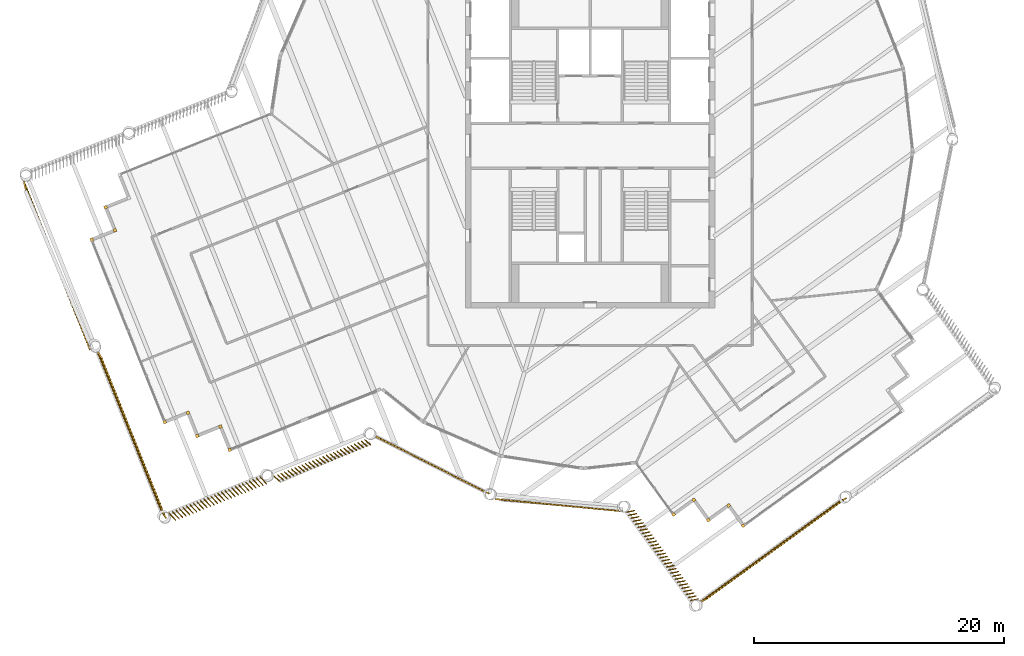
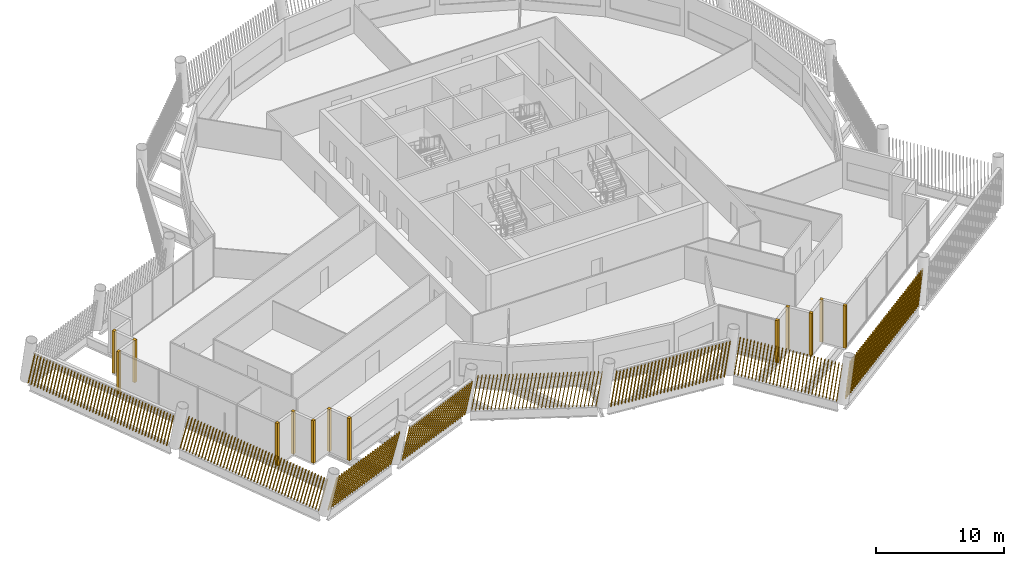
# One storey, part 23 of 27: 21 shading devices.
"""IFC4 building model written with IfcOpenShell, lengths in metres."""

from ifc_helpers import new_model, si_unit, direction, frame, frame_2d, origin, origin_2d, place, context, subcontext, project, spatial, rectangle, composite_profile, extrude, material, type_object, element, save


model = new_model("IFC4")

# Units and contexts
model_context = context("Model", 3, precision=1e-05, world=origin(), true_north=direction((0.0, 1.0)))
body_context = subcontext(model_context, "Body", "Model", "MODEL_VIEW")
ifc_project = project(units=[si_unit("LENGTHUNIT", "METRE"), si_unit("AREAUNIT", "SQUARE_METRE"), si_unit("VOLUMEUNIT", "CUBIC_METRE"), si_unit("PLANEANGLEUNIT", "RADIAN"), si_unit("MASSUNIT", "GRAM", prefix="KILO")], contexts=[model_context])

# Site, building, storey
site_placement = place(None, origin())
site = spatial("IfcSite", under=ifc_project, at=site_placement, CompositionType="ELEMENT")
building_placement = place(site_placement, origin())
building = spatial("IfcBuilding", under=site, at=building_placement, Name="Tarsis Ring Headquarters", CompositionType="ELEMENT")
storey_placement = place(building_placement, frame((0.0, 0.0, 373.39990234375)))
storey = spatial("IfcBuildingStorey", under=building, at=storey_placement, Name="L88", CompositionType="ELEMENT", Elevation=373.39990234375)

# Shading devices
ifc_material = material(Name="Terracotta baguette", Category="masonry")
shading_device_type_1 = type_object("IfcShadingDeviceType", Name="Terracotta baguette screen", PredefinedType="USERDEFINED", material=ifc_material)
shading_device_1_placement = place(storey_placement, frame((-7.622802734375, -28.32177734375, 0.0), z_axis=(0.0, 0.0, 1.0), x_axis=(0.995427857589, -0.095415365397, 0.0)))
element("IfcShadingDevice", 1, at=shading_device_1_placement, inside=storey, type_object=shading_device_type_1, Name="Baguette screen L88-00", ObjectType="Terracotta baguette screen", PredefinedType="USERDEFINED", context=body_context, shape_type="SweptSolid", body=[
    extrude(composite_profile([rectangle(XDim=0.06005859375, YDim=0.1201171875, at=frame_2d((0.030029296875, 0.0))), rectangle(XDim=0.06005859375, YDim=0.1201171875, at=frame_2d((0.33349609375, 0.0))), rectangle(XDim=0.06005859375, YDim=0.1201171875, at=frame_2d((0.636962890625, 0.0))), rectangle(XDim=0.06005859375, YDim=0.1201171875, at=frame_2d((0.9404296875, 0.0))), rectangle(XDim=0.06005859375, YDim=0.1201171875, at=frame_2d((1.243896484375, 0.0))), rectangle(XDim=0.06005859375, YDim=0.1201171875, at=frame_2d((1.54736328125, 0.0))), rectangle(XDim=0.06005859375, YDim=0.1201171875, at=frame_2d((1.85107421875, 0.0))), rectangle(XDim=0.06005859375, YDim=0.1201171875, at=frame_2d((2.154541015625, 0.0))), rectangle(XDim=0.06005859375, YDim=0.1201171875, at=frame_2d((2.4580078125, 0.0))), rectangle(XDim=0.06005859375, YDim=0.1201171875, at=frame_2d((2.761474609375, 0.0))), rectangle(XDim=0.06005859375, YDim=0.1201171875, at=frame_2d((3.06494140625, 0.0))), rectangle(XDim=0.06005859375, YDim=0.1201171875, at=frame_2d((3.368408203125, 0.0))), rectangle(XDim=0.06005859375, YDim=0.1201171875, at=frame_2d((3.671875, 0.0))), rectangle(XDim=0.06005859375, YDim=0.1201171875, at=frame_2d((3.975341796875, 0.0))), rectangle(XDim=0.06005859375, YDim=0.1201171875, at=frame_2d((4.27880859375, 0.0))), rectangle(XDim=0.06005859375, YDim=0.1201171875, at=frame_2d((4.582275390625, 0.0))), rectangle(XDim=0.06005859375, YDim=0.1201171875, at=frame_2d((4.8857421875, 0.0))), rectangle(XDim=0.06005859375, YDim=0.1201171875, at=frame_2d((5.189453125, 0.0))), rectangle(XDim=0.06005859375, YDim=0.1201171875, at=frame_2d((5.492919921875, 0.0))), rectangle(XDim=0.06005859375, YDim=0.1201171875, at=frame_2d((5.79638671875, 0.0))), rectangle(XDim=0.06005859375, YDim=0.1201171875, at=frame_2d((6.099853515625, 0.0))), rectangle(XDim=0.06005859375, YDim=0.1201171875, at=frame_2d((6.4033203125, 0.0))), rectangle(XDim=0.06005859375, YDim=0.1201171875, at=frame_2d((6.706787109375, 0.0))), rectangle(XDim=0.06005859375, YDim=0.1201171875, at=frame_2d((7.01025390625, 0.0))), rectangle(XDim=0.06005859375, YDim=0.1201171875, at=frame_2d((7.313720703125, 0.0))), rectangle(XDim=0.06005859375, YDim=0.1201171875, at=frame_2d((7.6171875, 0.0))), rectangle(XDim=0.06005859375, YDim=0.1201171875, at=frame_2d((7.920654296875, 0.0))), rectangle(XDim=0.06005859375, YDim=0.1201171875, at=frame_2d((8.224365234375, 0.0))), rectangle(XDim=0.06005859375, YDim=0.1201171875, at=frame_2d((8.52783203125, 0.0))), rectangle(XDim=0.06005859375, YDim=0.1201171875, at=frame_2d((8.831298828125, 0.0))), rectangle(XDim=0.06005859375, YDim=0.1201171875, at=frame_2d((9.134765625, 0.0))), rectangle(XDim=0.06005859375, YDim=0.1201171875, at=frame_2d((9.438232421875, 0.0))), rectangle(XDim=0.06005859375, YDim=0.1201171875, at=frame_2d((9.74169921875, 0.0)))]), origin(), (0.157996277513, 0.001434715784, 0.987438665378), 3.322265625),
])
shading_device_2_placement = place(storey_placement, frame((2.930419921875, -29.333740234375, 0.0), z_axis=(0.0, 0.0, 1.0), x_axis=(0.585530876522, -0.810664670161, 0.0)))
element("IfcShadingDevice", 2, at=shading_device_2_placement, inside=storey, type_object=shading_device_type_1, Name="Baguette screen L88-01", ObjectType="Terracotta baguette screen", PredefinedType="USERDEFINED", context=body_context, shape_type="SweptSolid", body=[
    extrude(composite_profile([rectangle(XDim=0.06005859375, YDim=0.1201171875, at=frame_2d((0.030029296875, 0.0))), rectangle(XDim=0.06005859375, YDim=0.1201171875, at=frame_2d((0.33154296875, 0.0))), rectangle(XDim=0.06005859375, YDim=0.1201171875, at=frame_2d((0.633056640625, 0.0))), rectangle(XDim=0.06005859375, YDim=0.1201171875, at=frame_2d((0.9345703125, 0.0))), rectangle(XDim=0.06005859375, YDim=0.1201171875, at=frame_2d((1.236083984375, 0.0))), rectangle(XDim=0.06005859375, YDim=0.1201171875, at=frame_2d((1.53759765625, 0.0))), rectangle(XDim=0.06005859375, YDim=0.1201171875, at=frame_2d((1.839111328125, 0.0))), rectangle(XDim=0.06005859375, YDim=0.1201171875, at=frame_2d((2.140625, 0.0))), rectangle(XDim=0.06005859375, YDim=0.1201171875, at=frame_2d((2.442138671875, 0.0))), rectangle(XDim=0.06005859375, YDim=0.1201171875, at=frame_2d((2.74365234375, 0.0))), rectangle(XDim=0.06005859375, YDim=0.1201171875, at=frame_2d((3.045166015625, 0.0))), rectangle(XDim=0.06005859375, YDim=0.1201171875, at=frame_2d((3.3466796875, 0.0))), rectangle(XDim=0.06005859375, YDim=0.1201171875, at=frame_2d((3.648193359375, 0.0))), rectangle(XDim=0.06005859375, YDim=0.1201171875, at=frame_2d((3.94970703125, 0.0))), rectangle(XDim=0.06005859375, YDim=0.1201171875, at=frame_2d((4.251220703125, 0.0))), rectangle(XDim=0.06005859375, YDim=0.1201171875, at=frame_2d((4.552978515625, 0.0))), rectangle(XDim=0.06005859375, YDim=0.1201171875, at=frame_2d((4.8544921875, 0.0))), rectangle(XDim=0.06005859375, YDim=0.1201171875, at=frame_2d((5.156005859375, 0.0))), rectangle(XDim=0.06005859375, YDim=0.1201171875, at=frame_2d((5.45751953125, 0.0))), rectangle(XDim=0.06005859375, YDim=0.1201171875, at=frame_2d((5.759033203125, 0.0))), rectangle(XDim=0.06005859375, YDim=0.1201171875, at=frame_2d((6.060546875, 0.0))), rectangle(XDim=0.06005859375, YDim=0.1201171875, at=frame_2d((6.362060546875, 0.0))), rectangle(XDim=0.06005859375, YDim=0.1201171875, at=frame_2d((6.66357421875, 0.0))), rectangle(XDim=0.06005859375, YDim=0.1201171875, at=frame_2d((6.965087890625, 0.0))), rectangle(XDim=0.06005859375, YDim=0.1201171875, at=frame_2d((7.2666015625, 0.0))), rectangle(XDim=0.06005859375, YDim=0.1201171875, at=frame_2d((7.568115234375, 0.0))), rectangle(XDim=0.06005859375, YDim=0.1201171875, at=frame_2d((7.86962890625, 0.0))), rectangle(XDim=0.06005859375, YDim=0.1201171875, at=frame_2d((8.171142578125, 0.0))), rectangle(XDim=0.06005859375, YDim=0.1201171875, at=frame_2d((8.47265625, 0.0))), rectangle(XDim=0.06005859375, YDim=0.1201171875, at=frame_2d((8.774169921875, 0.0)))]), origin(), (0.079049362908, 0.163402827174, 0.983387367366), 3.3359375),
])
shading_device_3_placement = place(storey_placement, frame((8.783935546875, -36.583740234375, 0.0), z_axis=(0.0, 0.0, 1.0), x_axis=(0.810664496497, 0.585521194537, 0.0)))
element("IfcShadingDevice", 3, at=shading_device_3_placement, inside=storey, type_object=shading_device_type_1, Name="Baguette screen L88-02", ObjectType="Terracotta baguette screen", PredefinedType="USERDEFINED", context=body_context, shape_type="SweptSolid", body=[
    extrude(composite_profile([rectangle(XDim=0.06005859375, YDim=0.1201171875, at=frame_2d((0.030029296875, 0.0))), rectangle(XDim=0.06005859375, YDim=0.1201171875, at=frame_2d((0.33544921875, 0.0))), rectangle(XDim=0.06005859375, YDim=0.1201171875, at=frame_2d((0.640625, 0.0))), rectangle(XDim=0.06005859375, YDim=0.1201171875, at=frame_2d((0.946044921875, 0.0))), rectangle(XDim=0.06005859375, YDim=0.1201171875, at=frame_2d((1.25146484375, 0.0))), rectangle(XDim=0.06005859375, YDim=0.1201171875, at=frame_2d((1.556640625, 0.0))), rectangle(XDim=0.06005859375, YDim=0.1201171875, at=frame_2d((1.862060546875, 0.0))), rectangle(XDim=0.06005859375, YDim=0.1201171875, at=frame_2d((2.16748046875, 0.0))), rectangle(XDim=0.06005859375, YDim=0.1201171875, at=frame_2d((2.47265625, 0.0))), rectangle(XDim=0.06005859375, YDim=0.1201171875, at=frame_2d((2.778076171875, 0.0))), rectangle(XDim=0.06005859375, YDim=0.1201171875, at=frame_2d((3.08349609375, 0.0))), rectangle(XDim=0.06005859375, YDim=0.1201171875, at=frame_2d((3.388671875, 0.0))), rectangle(XDim=0.06005859375, YDim=0.1201171875, at=frame_2d((3.694091796875, 0.0))), rectangle(XDim=0.06005859375, YDim=0.1201171875, at=frame_2d((3.99951171875, 0.0))), rectangle(XDim=0.06005859375, YDim=0.1201171875, at=frame_2d((4.3046875, 0.0))), rectangle(XDim=0.06005859375, YDim=0.1201171875, at=frame_2d((4.610107421875, 0.0))), rectangle(XDim=0.06005859375, YDim=0.1201171875, at=frame_2d((4.91552734375, 0.0))), rectangle(XDim=0.06005859375, YDim=0.1201171875, at=frame_2d((5.220703125, 0.0))), rectangle(XDim=0.06005859375, YDim=0.1201171875, at=frame_2d((5.526123046875, 0.0))), rectangle(XDim=0.06005859375, YDim=0.1201171875, at=frame_2d((5.83154296875, 0.0))), rectangle(XDim=0.06005859375, YDim=0.1201171875, at=frame_2d((6.13671875, 0.0))), rectangle(XDim=0.06005859375, YDim=0.1201171875, at=frame_2d((6.442138671875, 0.0))), rectangle(XDim=0.06005859375, YDim=0.1201171875, at=frame_2d((6.74755859375, 0.0))), rectangle(XDim=0.06005859375, YDim=0.1201171875, at=frame_2d((7.052734375, 0.0))), rectangle(XDim=0.06005859375, YDim=0.1201171875, at=frame_2d((7.358154296875, 0.0))), rectangle(XDim=0.06005859375, YDim=0.1201171875, at=frame_2d((7.66357421875, 0.0))), rectangle(XDim=0.06005859375, YDim=0.1201171875, at=frame_2d((7.96875, 0.0))), rectangle(XDim=0.06005859375, YDim=0.1201171875, at=frame_2d((8.274169921875, 0.0))), rectangle(XDim=0.06005859375, YDim=0.1201171875, at=frame_2d((8.57958984375, 0.0))), rectangle(XDim=0.06005859375, YDim=0.1201171875, at=frame_2d((8.884765625, 0.0))), rectangle(XDim=0.06005859375, YDim=0.1201171875, at=frame_2d((9.190185546875, 0.0))), rectangle(XDim=0.06005859375, YDim=0.1201171875, at=frame_2d((9.49560546875, 0.0))), rectangle(XDim=0.06005859375, YDim=0.1201171875, at=frame_2d((9.80078125, 0.0))), rectangle(XDim=0.06005859375, YDim=0.1201171875, at=frame_2d((10.106201171875, 0.0))), rectangle(XDim=0.06005859375, YDim=0.1201171875, at=frame_2d((10.41162109375, 0.0))), rectangle(XDim=0.06005859375, YDim=0.1201171875, at=frame_2d((10.716796875, 0.0))), rectangle(XDim=0.06005859375, YDim=0.1201171875, at=frame_2d((11.022216796875, 0.0))), rectangle(XDim=0.06005859375, YDim=0.1201171875, at=frame_2d((11.32763671875, 0.0))), rectangle(XDim=0.06005859375, YDim=0.1201171875, at=frame_2d((11.6328125, 0.0))), rectangle(XDim=0.06005859375, YDim=0.1201171875, at=frame_2d((11.938232421875, 0.0))), rectangle(XDim=0.06005859375, YDim=0.1201171875, at=frame_2d((12.24365234375, 0.0))), rectangle(XDim=0.06005859375, YDim=0.1201171875, at=frame_2d((12.548828125, 0.0))), rectangle(XDim=0.06005859375, YDim=0.1201171875, at=frame_2d((12.854248046875, 0.0))), rectangle(XDim=0.06005859375, YDim=0.1201171875, at=frame_2d((13.15966796875, 0.0))), rectangle(XDim=0.06005859375, YDim=0.1201171875, at=frame_2d((13.46484375, 0.0))), rectangle(XDim=0.06005859375, YDim=0.1201171875, at=frame_2d((13.770263671875, 0.0)))]), origin(), (0.189281618027, -0.038455774989, 0.981169517692), 3.343505859375),
])
shading_device_4_placement = place(storey_placement, frame((-45.39599609375, -2.7880859375, 0.0), z_axis=(0.0, 0.0, 1.0), x_axis=(0.372012383901, -0.928226448474, 0.0)))
element("IfcShadingDevice", 4, at=shading_device_4_placement, inside=storey, type_object=shading_device_type_1, Name="Baguette screen L88-15", ObjectType="Terracotta baguette screen", PredefinedType="USERDEFINED", context=body_context, shape_type="SweptSolid", body=[
    extrude(composite_profile([rectangle(XDim=0.06005859375, YDim=0.1201171875, at=frame_2d((0.030029296875, 0.0))), rectangle(XDim=0.06005859375, YDim=0.1201171875, at=frame_2d((0.33544921875, 0.0))), rectangle(XDim=0.06005859375, YDim=0.1201171875, at=frame_2d((0.640625, 0.0))), rectangle(XDim=0.06005859375, YDim=0.1201171875, at=frame_2d((0.946044921875, 0.0))), rectangle(XDim=0.06005859375, YDim=0.1201171875, at=frame_2d((1.25146484375, 0.0))), rectangle(XDim=0.06005859375, YDim=0.1201171875, at=frame_2d((1.556640625, 0.0))), rectangle(XDim=0.06005859375, YDim=0.1201171875, at=frame_2d((1.862060546875, 0.0))), rectangle(XDim=0.06005859375, YDim=0.1201171875, at=frame_2d((2.16748046875, 0.0))), rectangle(XDim=0.06005859375, YDim=0.1201171875, at=frame_2d((2.47265625, 0.0))), rectangle(XDim=0.06005859375, YDim=0.1201171875, at=frame_2d((2.778076171875, 0.0))), rectangle(XDim=0.06005859375, YDim=0.1201171875, at=frame_2d((3.08349609375, 0.0))), rectangle(XDim=0.06005859375, YDim=0.1201171875, at=frame_2d((3.388671875, 0.0))), rectangle(XDim=0.06005859375, YDim=0.1201171875, at=frame_2d((3.694091796875, 0.0))), rectangle(XDim=0.06005859375, YDim=0.1201171875, at=frame_2d((3.99951171875, 0.0))), rectangle(XDim=0.06005859375, YDim=0.1201171875, at=frame_2d((4.3046875, 0.0))), rectangle(XDim=0.06005859375, YDim=0.1201171875, at=frame_2d((4.610107421875, 0.0))), rectangle(XDim=0.06005859375, YDim=0.1201171875, at=frame_2d((4.91552734375, 0.0))), rectangle(XDim=0.06005859375, YDim=0.1201171875, at=frame_2d((5.220703125, 0.0))), rectangle(XDim=0.06005859375, YDim=0.1201171875, at=frame_2d((5.526123046875, 0.0))), rectangle(XDim=0.06005859375, YDim=0.1201171875, at=frame_2d((5.83154296875, 0.0))), rectangle(XDim=0.06005859375, YDim=0.1201171875, at=frame_2d((6.13671875, 0.0))), rectangle(XDim=0.06005859375, YDim=0.1201171875, at=frame_2d((6.442138671875, 0.0))), rectangle(XDim=0.06005859375, YDim=0.1201171875, at=frame_2d((6.74755859375, 0.0))), rectangle(XDim=0.06005859375, YDim=0.1201171875, at=frame_2d((7.052734375, 0.0))), rectangle(XDim=0.06005859375, YDim=0.1201171875, at=frame_2d((7.358154296875, 0.0))), rectangle(XDim=0.06005859375, YDim=0.1201171875, at=frame_2d((7.66357421875, 0.0))), rectangle(XDim=0.06005859375, YDim=0.1201171875, at=frame_2d((7.96875, 0.0))), rectangle(XDim=0.06005859375, YDim=0.1201171875, at=frame_2d((8.274169921875, 0.0))), rectangle(XDim=0.06005859375, YDim=0.1201171875, at=frame_2d((8.57958984375, 0.0))), rectangle(XDim=0.06005859375, YDim=0.1201171875, at=frame_2d((8.884765625, 0.0))), rectangle(XDim=0.06005859375, YDim=0.1201171875, at=frame_2d((9.190185546875, 0.0))), rectangle(XDim=0.06005859375, YDim=0.1201171875, at=frame_2d((9.49560546875, 0.0))), rectangle(XDim=0.06005859375, YDim=0.1201171875, at=frame_2d((9.80078125, 0.0))), rectangle(XDim=0.06005859375, YDim=0.1201171875, at=frame_2d((10.106201171875, 0.0))), rectangle(XDim=0.06005859375, YDim=0.1201171875, at=frame_2d((10.41162109375, 0.0))), rectangle(XDim=0.06005859375, YDim=0.1201171875, at=frame_2d((10.716796875, 0.0))), rectangle(XDim=0.06005859375, YDim=0.1201171875, at=frame_2d((11.022216796875, 0.0))), rectangle(XDim=0.06005859375, YDim=0.1201171875, at=frame_2d((11.32763671875, 0.0))), rectangle(XDim=0.06005859375, YDim=0.1201171875, at=frame_2d((11.6328125, 0.0))), rectangle(XDim=0.06005859375, YDim=0.1201171875, at=frame_2d((11.938232421875, 0.0))), rectangle(XDim=0.06005859375, YDim=0.1201171875, at=frame_2d((12.24365234375, 0.0))), rectangle(XDim=0.06005859375, YDim=0.1201171875, at=frame_2d((12.548828125, 0.0))), rectangle(XDim=0.06005859375, YDim=0.1201171875, at=frame_2d((12.854248046875, 0.0))), rectangle(XDim=0.06005859375, YDim=0.1201171875, at=frame_2d((13.15966796875, 0.0))), rectangle(XDim=0.06005859375, YDim=0.1201171875, at=frame_2d((13.46484375, 0.0))), rectangle(XDim=0.06005859375, YDim=0.1201171875, at=frame_2d((13.770263671875, 0.0)))]), origin(), (0.232517561556, -0.037682560141, 0.971861928583), 3.37548828125),
])
shading_device_5_placement = place(storey_placement, frame((-39.5419921875, -16.386474609375, 0.0), z_axis=(0.0, 0.0, 1.0), x_axis=(0.372018965395, -0.928225178685, 0.0)))
element("IfcShadingDevice", 5, at=shading_device_5_placement, inside=storey, type_object=shading_device_type_1, Name="Baguette screen L88-16", ObjectType="Terracotta baguette screen", PredefinedType="USERDEFINED", context=body_context, shape_type="SweptSolid", body=[
    extrude(composite_profile([rectangle(XDim=0.06005859375, YDim=0.1201171875, at=frame_2d((0.030029296875, 0.0))), rectangle(XDim=0.06005859375, YDim=0.1201171875, at=frame_2d((0.33544921875, 0.0))), rectangle(XDim=0.06005859375, YDim=0.1201171875, at=frame_2d((0.640625, 0.0))), rectangle(XDim=0.06005859375, YDim=0.1201171875, at=frame_2d((0.946044921875, 0.0))), rectangle(XDim=0.06005859375, YDim=0.1201171875, at=frame_2d((1.25146484375, 0.0))), rectangle(XDim=0.06005859375, YDim=0.1201171875, at=frame_2d((1.556640625, 0.0))), rectangle(XDim=0.06005859375, YDim=0.1201171875, at=frame_2d((1.862060546875, 0.0))), rectangle(XDim=0.06005859375, YDim=0.1201171875, at=frame_2d((2.16748046875, 0.0))), rectangle(XDim=0.06005859375, YDim=0.1201171875, at=frame_2d((2.47265625, 0.0))), rectangle(XDim=0.06005859375, YDim=0.1201171875, at=frame_2d((2.778076171875, 0.0))), rectangle(XDim=0.06005859375, YDim=0.1201171875, at=frame_2d((3.08349609375, 0.0))), rectangle(XDim=0.06005859375, YDim=0.1201171875, at=frame_2d((3.388671875, 0.0))), rectangle(XDim=0.06005859375, YDim=0.1201171875, at=frame_2d((3.694091796875, 0.0))), rectangle(XDim=0.06005859375, YDim=0.1201171875, at=frame_2d((3.99951171875, 0.0))), rectangle(XDim=0.06005859375, YDim=0.1201171875, at=frame_2d((4.3046875, 0.0))), rectangle(XDim=0.06005859375, YDim=0.1201171875, at=frame_2d((4.610107421875, 0.0))), rectangle(XDim=0.06005859375, YDim=0.1201171875, at=frame_2d((4.91552734375, 0.0))), rectangle(XDim=0.06005859375, YDim=0.1201171875, at=frame_2d((5.220703125, 0.0))), rectangle(XDim=0.06005859375, YDim=0.1201171875, at=frame_2d((5.526123046875, 0.0))), rectangle(XDim=0.06005859375, YDim=0.1201171875, at=frame_2d((5.83154296875, 0.0))), rectangle(XDim=0.06005859375, YDim=0.1201171875, at=frame_2d((6.13671875, 0.0))), rectangle(XDim=0.06005859375, YDim=0.1201171875, at=frame_2d((6.442138671875, 0.0))), rectangle(XDim=0.06005859375, YDim=0.1201171875, at=frame_2d((6.74755859375, 0.0))), rectangle(XDim=0.06005859375, YDim=0.1201171875, at=frame_2d((7.052734375, 0.0))), rectangle(XDim=0.06005859375, YDim=0.1201171875, at=frame_2d((7.358154296875, 0.0))), rectangle(XDim=0.06005859375, YDim=0.1201171875, at=frame_2d((7.66357421875, 0.0))), rectangle(XDim=0.06005859375, YDim=0.1201171875, at=frame_2d((7.96875, 0.0))), rectangle(XDim=0.06005859375, YDim=0.1201171875, at=frame_2d((8.274169921875, 0.0))), rectangle(XDim=0.06005859375, YDim=0.1201171875, at=frame_2d((8.57958984375, 0.0))), rectangle(XDim=0.06005859375, YDim=0.1201171875, at=frame_2d((8.884765625, 0.0))), rectangle(XDim=0.06005859375, YDim=0.1201171875, at=frame_2d((9.190185546875, 0.0))), rectangle(XDim=0.06005859375, YDim=0.1201171875, at=frame_2d((9.49560546875, 0.0))), rectangle(XDim=0.06005859375, YDim=0.1201171875, at=frame_2d((9.80078125, 0.0))), rectangle(XDim=0.06005859375, YDim=0.1201171875, at=frame_2d((10.106201171875, 0.0))), rectangle(XDim=0.06005859375, YDim=0.1201171875, at=frame_2d((10.41162109375, 0.0))), rectangle(XDim=0.06005859375, YDim=0.1201171875, at=frame_2d((10.716796875, 0.0))), rectangle(XDim=0.06005859375, YDim=0.1201171875, at=frame_2d((11.022216796875, 0.0))), rectangle(XDim=0.06005859375, YDim=0.1201171875, at=frame_2d((11.32763671875, 0.0))), rectangle(XDim=0.06005859375, YDim=0.1201171875, at=frame_2d((11.6328125, 0.0))), rectangle(XDim=0.06005859375, YDim=0.1201171875, at=frame_2d((11.938232421875, 0.0))), rectangle(XDim=0.06005859375, YDim=0.1201171875, at=frame_2d((12.24365234375, 0.0))), rectangle(XDim=0.06005859375, YDim=0.1201171875, at=frame_2d((12.548828125, 0.0))), rectangle(XDim=0.06005859375, YDim=0.1201171875, at=frame_2d((12.854248046875, 0.0))), rectangle(XDim=0.06005859375, YDim=0.1201171875, at=frame_2d((13.15966796875, 0.0))), rectangle(XDim=0.06005859375, YDim=0.1201171875, at=frame_2d((13.46484375, 0.0))), rectangle(XDim=0.06005859375, YDim=0.1201171875, at=frame_2d((13.770263671875, 0.0)))]), origin(), (0.229886437602, 0.04189843795, 0.972315147832), 3.3740234375),
])
shading_device_6_placement = place(storey_placement, frame((-33.758056640625, -29.47412109375, 0.0), z_axis=(0.0, 0.0, 1.0), x_axis=(0.928229369419, 0.372045602002, 0.0)))
element("IfcShadingDevice", 6, at=shading_device_6_placement, inside=storey, type_object=shading_device_type_1, Name="Baguette screen L88-17", ObjectType="Terracotta baguette screen", PredefinedType="USERDEFINED", context=body_context, shape_type="SweptSolid", body=[
    extrude(composite_profile([rectangle(XDim=0.06005859375, YDim=0.1201171875, at=frame_2d((0.030029296875, 0.0))), rectangle(XDim=0.06005859375, YDim=0.1201171875, at=frame_2d((0.33154296875, 0.0))), rectangle(XDim=0.06005859375, YDim=0.1201171875, at=frame_2d((0.63330078125, 0.0))), rectangle(XDim=0.06005859375, YDim=0.1201171875, at=frame_2d((0.934814453125, 0.0))), rectangle(XDim=0.06005859375, YDim=0.1201171875, at=frame_2d((1.236572265625, 0.0))), rectangle(XDim=0.06005859375, YDim=0.1201171875, at=frame_2d((1.5380859375, 0.0))), rectangle(XDim=0.06005859375, YDim=0.1201171875, at=frame_2d((1.83984375, 0.0))), rectangle(XDim=0.06005859375, YDim=0.1201171875, at=frame_2d((2.141357421875, 0.0))), rectangle(XDim=0.06005859375, YDim=0.1201171875, at=frame_2d((2.443115234375, 0.0))), rectangle(XDim=0.06005859375, YDim=0.1201171875, at=frame_2d((2.74462890625, 0.0))), rectangle(XDim=0.06005859375, YDim=0.1201171875, at=frame_2d((3.04638671875, 0.0))), rectangle(XDim=0.06005859375, YDim=0.1201171875, at=frame_2d((3.347900390625, 0.0))), rectangle(XDim=0.06005859375, YDim=0.1201171875, at=frame_2d((3.649658203125, 0.0))), rectangle(XDim=0.06005859375, YDim=0.1201171875, at=frame_2d((3.951171875, 0.0))), rectangle(XDim=0.06005859375, YDim=0.1201171875, at=frame_2d((4.252685546875, 0.0))), rectangle(XDim=0.06005859375, YDim=0.1201171875, at=frame_2d((4.554443359375, 0.0))), rectangle(XDim=0.06005859375, YDim=0.1201171875, at=frame_2d((4.85595703125, 0.0))), rectangle(XDim=0.06005859375, YDim=0.1201171875, at=frame_2d((5.15771484375, 0.0))), rectangle(XDim=0.06005859375, YDim=0.1201171875, at=frame_2d((5.459228515625, 0.0))), rectangle(XDim=0.06005859375, YDim=0.1201171875, at=frame_2d((5.760986328125, 0.0))), rectangle(XDim=0.06005859375, YDim=0.1201171875, at=frame_2d((6.0625, 0.0))), rectangle(XDim=0.06005859375, YDim=0.1201171875, at=frame_2d((6.3642578125, 0.0))), rectangle(XDim=0.06005859375, YDim=0.1201171875, at=frame_2d((6.665771484375, 0.0))), rectangle(XDim=0.06005859375, YDim=0.1201171875, at=frame_2d((6.967529296875, 0.0))), rectangle(XDim=0.06005859375, YDim=0.1201171875, at=frame_2d((7.26904296875, 0.0))), rectangle(XDim=0.06005859375, YDim=0.1201171875, at=frame_2d((7.57080078125, 0.0))), rectangle(XDim=0.06005859375, YDim=0.1201171875, at=frame_2d((7.872314453125, 0.0)))]), origin(), (0.081719603864, -0.206172949282, 0.975097236858), 3.3642578125),
])
shading_device_7_placement = place(storey_placement, frame((-25.355224609375, -26.51025390625, 0.0), z_axis=(0.0, 0.0, 1.0), x_axis=(0.928229369419, 0.372014706337, 0.0)))
element("IfcShadingDevice", 7, at=shading_device_7_placement, inside=storey, type_object=shading_device_type_1, Name="Baguette screen L88-18", ObjectType="Terracotta baguette screen", PredefinedType="USERDEFINED", context=body_context, shape_type="SweptSolid", body=[
    extrude(composite_profile([rectangle(XDim=0.06005859375, YDim=0.1201171875, at=frame_2d((0.030029296875, 0.0))), rectangle(XDim=0.06005859375, YDim=0.1201171875, at=frame_2d((0.33154296875, 0.0))), rectangle(XDim=0.06005859375, YDim=0.1201171875, at=frame_2d((0.63330078125, 0.0))), rectangle(XDim=0.06005859375, YDim=0.1201171875, at=frame_2d((0.934814453125, 0.0))), rectangle(XDim=0.06005859375, YDim=0.1201171875, at=frame_2d((1.236572265625, 0.0))), rectangle(XDim=0.06005859375, YDim=0.1201171875, at=frame_2d((1.5380859375, 0.0))), rectangle(XDim=0.06005859375, YDim=0.1201171875, at=frame_2d((1.83984375, 0.0))), rectangle(XDim=0.06005859375, YDim=0.1201171875, at=frame_2d((2.141357421875, 0.0))), rectangle(XDim=0.06005859375, YDim=0.1201171875, at=frame_2d((2.443115234375, 0.0))), rectangle(XDim=0.06005859375, YDim=0.1201171875, at=frame_2d((2.74462890625, 0.0))), rectangle(XDim=0.06005859375, YDim=0.1201171875, at=frame_2d((3.04638671875, 0.0))), rectangle(XDim=0.06005859375, YDim=0.1201171875, at=frame_2d((3.347900390625, 0.0))), rectangle(XDim=0.06005859375, YDim=0.1201171875, at=frame_2d((3.649658203125, 0.0))), rectangle(XDim=0.06005859375, YDim=0.1201171875, at=frame_2d((3.951171875, 0.0))), rectangle(XDim=0.06005859375, YDim=0.1201171875, at=frame_2d((4.252685546875, 0.0))), rectangle(XDim=0.06005859375, YDim=0.1201171875, at=frame_2d((4.554443359375, 0.0))), rectangle(XDim=0.06005859375, YDim=0.1201171875, at=frame_2d((4.85595703125, 0.0))), rectangle(XDim=0.06005859375, YDim=0.1201171875, at=frame_2d((5.15771484375, 0.0))), rectangle(XDim=0.06005859375, YDim=0.1201171875, at=frame_2d((5.459228515625, 0.0))), rectangle(XDim=0.06005859375, YDim=0.1201171875, at=frame_2d((5.760986328125, 0.0))), rectangle(XDim=0.06005859375, YDim=0.1201171875, at=frame_2d((6.0625, 0.0))), rectangle(XDim=0.06005859375, YDim=0.1201171875, at=frame_2d((6.3642578125, 0.0))), rectangle(XDim=0.06005859375, YDim=0.1201171875, at=frame_2d((6.665771484375, 0.0))), rectangle(XDim=0.06005859375, YDim=0.1201171875, at=frame_2d((6.967529296875, 0.0))), rectangle(XDim=0.06005859375, YDim=0.1201171875, at=frame_2d((7.26904296875, 0.0))), rectangle(XDim=0.06005859375, YDim=0.1201171875, at=frame_2d((7.57080078125, 0.0))), rectangle(XDim=0.06005859375, YDim=0.1201171875, at=frame_2d((7.872314453125, 0.0)))]), origin(), (0.084039185215, -0.159503112264, 0.983613833029), 3.335205078125),
])
shading_device_8_placement = place(storey_placement, frame((-17.24951171875, -23.26220703125, 0.0), z_axis=(0.0, 0.0, 1.0), x_axis=(0.892217364147, -0.451592754528, 0.0)))
element("IfcShadingDevice", 8, at=shading_device_8_placement, inside=storey, type_object=shading_device_type_1, Name="Baguette screen L88-19", ObjectType="Terracotta baguette screen", PredefinedType="USERDEFINED", context=body_context, shape_type="SweptSolid", body=[
    extrude(composite_profile([rectangle(XDim=0.06005859375, YDim=0.1201171875, at=frame_2d((0.030029296875, 0.0))), rectangle(XDim=0.06005859375, YDim=0.1201171875, at=frame_2d((0.33349609375, 0.0))), rectangle(XDim=0.06005859375, YDim=0.1201171875, at=frame_2d((0.636962890625, 0.0))), rectangle(XDim=0.06005859375, YDim=0.1201171875, at=frame_2d((0.9404296875, 0.0))), rectangle(XDim=0.06005859375, YDim=0.1201171875, at=frame_2d((1.243896484375, 0.0))), rectangle(XDim=0.06005859375, YDim=0.1201171875, at=frame_2d((1.54736328125, 0.0))), rectangle(XDim=0.06005859375, YDim=0.1201171875, at=frame_2d((1.85107421875, 0.0))), rectangle(XDim=0.06005859375, YDim=0.1201171875, at=frame_2d((2.154541015625, 0.0))), rectangle(XDim=0.06005859375, YDim=0.1201171875, at=frame_2d((2.4580078125, 0.0))), rectangle(XDim=0.06005859375, YDim=0.1201171875, at=frame_2d((2.761474609375, 0.0))), rectangle(XDim=0.06005859375, YDim=0.1201171875, at=frame_2d((3.06494140625, 0.0))), rectangle(XDim=0.06005859375, YDim=0.1201171875, at=frame_2d((3.368408203125, 0.0))), rectangle(XDim=0.06005859375, YDim=0.1201171875, at=frame_2d((3.671875, 0.0))), rectangle(XDim=0.06005859375, YDim=0.1201171875, at=frame_2d((3.975341796875, 0.0))), rectangle(XDim=0.06005859375, YDim=0.1201171875, at=frame_2d((4.27880859375, 0.0))), rectangle(XDim=0.06005859375, YDim=0.1201171875, at=frame_2d((4.582275390625, 0.0))), rectangle(XDim=0.06005859375, YDim=0.1201171875, at=frame_2d((4.8857421875, 0.0))), rectangle(XDim=0.06005859375, YDim=0.1201171875, at=frame_2d((5.189453125, 0.0))), rectangle(XDim=0.06005859375, YDim=0.1201171875, at=frame_2d((5.492919921875, 0.0))), rectangle(XDim=0.06005859375, YDim=0.1201171875, at=frame_2d((5.79638671875, 0.0))), rectangle(XDim=0.06005859375, YDim=0.1201171875, at=frame_2d((6.099853515625, 0.0))), rectangle(XDim=0.06005859375, YDim=0.1201171875, at=frame_2d((6.4033203125, 0.0))), rectangle(XDim=0.06005859375, YDim=0.1201171875, at=frame_2d((6.706787109375, 0.0))), rectangle(XDim=0.06005859375, YDim=0.1201171875, at=frame_2d((7.01025390625, 0.0))), rectangle(XDim=0.06005859375, YDim=0.1201171875, at=frame_2d((7.313720703125, 0.0))), rectangle(XDim=0.06005859375, YDim=0.1201171875, at=frame_2d((7.6171875, 0.0))), rectangle(XDim=0.06005859375, YDim=0.1201171875, at=frame_2d((7.920654296875, 0.0))), rectangle(XDim=0.06005859375, YDim=0.1201171875, at=frame_2d((8.224365234375, 0.0))), rectangle(XDim=0.06005859375, YDim=0.1201171875, at=frame_2d((8.52783203125, 0.0))), rectangle(XDim=0.06005859375, YDim=0.1201171875, at=frame_2d((8.831298828125, 0.0))), rectangle(XDim=0.06005859375, YDim=0.1201171875, at=frame_2d((9.134765625, 0.0))), rectangle(XDim=0.06005859375, YDim=0.1201171875, at=frame_2d((9.438232421875, 0.0))), rectangle(XDim=0.06005859375, YDim=0.1201171875, at=frame_2d((9.74169921875, 0.0)))]), origin(), (0.155998102335, 0.001419089222, 0.987756335466), 3.3212890625),
])
shading_device_type_2 = type_object("IfcShadingDeviceType", Name="Terracotta corner baguette 250x250", PredefinedType="USERDEFINED", material=ifc_material)
for number, where, z_axis, x_axis, name in (
    (9, (-28.88232421875, -24.36865234375, 0.0), (0.0, 0.0, 1.0), (0.372016112393, -0.928226272048, 0.0), "Corner baguette L88-01"),
    (10, (6.69482421875, -29.550048828125, 0.0), (0.0, 0.0, 1.0), (0.585523747605, -0.810655254094, 0.0), "Corner baguette L88-07"),
    (11, (8.316162109375, -28.379150390625, 0.0), (0.0, 0.0, 1.0), (0.810655223436, 0.585523790051, 0.0), "Corner baguette L88-08"),
    (12, (9.4873046875, -30.00048828125, 0.0), (0.0, 0.0, 1.0), (0.585523464633, -0.81065545848, 0.0), "Corner baguette L88-09"),
    (13, (11.108642578125, -28.829345703125, 0.0), (0.0, 0.0, 1.0), (0.810655223436, 0.585523790051, 0.0), "Corner baguette L88-10"),
    (14, (12.279541015625, -30.45068359375, 0.0), (0.0, 0.0, 1.0), (0.585523464633, -0.81065545848, 0.0), "Corner baguette L88-11"),
    (15, (-38.830322265625, -4.923828125, 0.0), (0.0, 0.0, 1.0), (-0.928226272048, -0.372016112393, 0.0), "Corner baguette L88-34"),
    (16, (-38.086181640625, -6.7802734375, 0.0), (0.0, 0.0, 1.0), (0.372015934186, -0.92822634347, 0.0), "Corner baguette L88-35"),
    (17, (-39.942626953125, -7.5244140625, 0.0), (0.0, 0.0, 1.0), (-0.928226512285, -0.372015512971, 0.0), "Corner baguette L88-36"),
    (18, (-34.08349609375, -22.143798828125, 0.0), (0.0, 0.0, 1.0), (0.372015934186, -0.92822634347, 0.0), "Corner baguette L88-37"),
    (19, (-32.22705078125, -21.39990234375, 0.0), (0.0, 0.0, 1.0), (0.92822634347, 0.372015934186, 0.0), "Corner baguette L88-38"),
    (20, (-31.48291015625, -23.25634765625, 0.0), (0.0, 0.0, 1.0), (0.372015512971, -0.928226512285, 0.0), "Corner baguette L88-39"),
    (21, (-29.62646484375, -22.51220703125, 0.0), (0.0, 0.0, 1.0), (0.928226408399, 0.37201577218, 0.0), "Corner baguette L88-40"),
):
    element("IfcShadingDevice", number, at=place(storey_placement, frame(where, z_axis=z_axis, x_axis=x_axis)), inside=storey, type_object=shading_device_type_2, Name=name, ObjectType="Terracotta corner baguette", PredefinedType="USERDEFINED", context=body_context, shape_type="SweptSolid", body=[
        extrude(rectangle(XDim=0.25, YDim=0.25, at=origin_2d()), origin(), (0.0, 0.0, 1.0), 4.0400390625),
    ])

save(model, "model.ifc")
